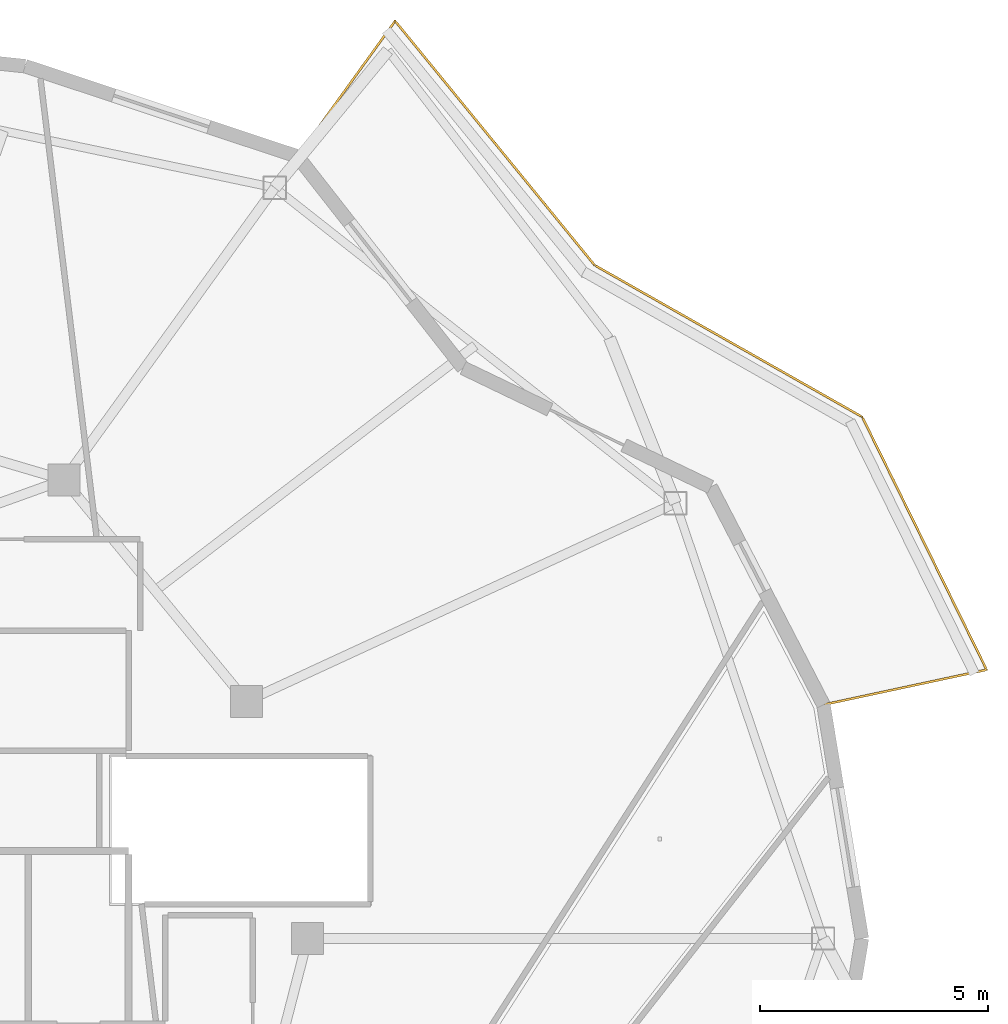
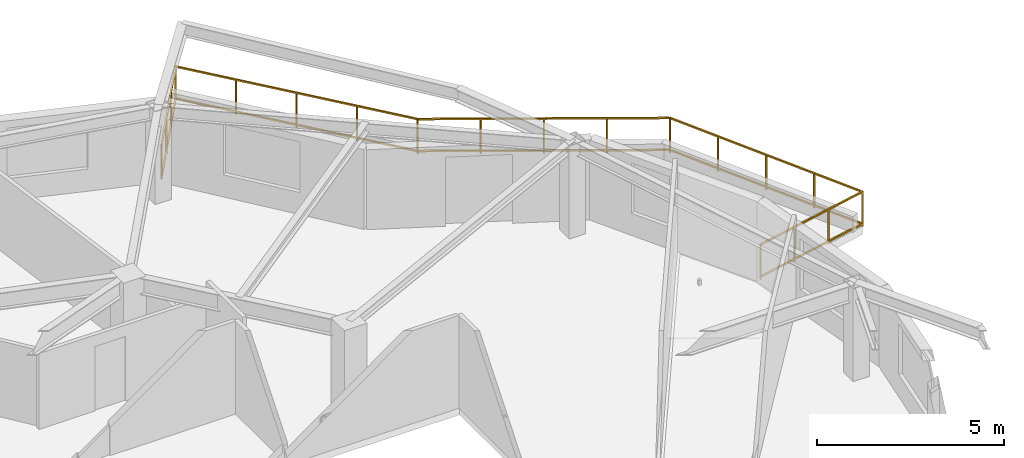
# One storey, part 14 of 14: 1 railing.
"""IFC4 building model written with IfcOpenShell, lengths in metres."""

from ifc_helpers import new_model, si_unit, direction, frame, origin, origin_2d, place, context, subcontext, project, spatial, rectangle, extrude, material, type_object, element, save


model = new_model("IFC4")

# Units and contexts
model_context = context("Model", 3, precision=1e-05, world=origin(), true_north=direction((0.0, 1.0)))
body_context = subcontext(model_context, "Body", "Model", "MODEL_VIEW")
ifc_project = project(units=[si_unit("LENGTHUNIT", "METRE"), si_unit("AREAUNIT", "SQUARE_METRE"), si_unit("VOLUMEUNIT", "CUBIC_METRE"), si_unit("PLANEANGLEUNIT", "RADIAN"), si_unit("MASSUNIT", "GRAM", prefix="KILO")], contexts=[model_context])

# Site, building, storey
site_placement = place(None, origin())
site = spatial("IfcSite", under=ifc_project, at=site_placement, CompositionType="ELEMENT")
building_placement = place(site_placement, origin())
building = spatial("IfcBuilding", under=site, at=building_placement, Name="Kolvaren Gate Tower and Convention Centre", CompositionType="ELEMENT")
storey_placement = place(building_placement, frame((0.0, 0.0, 209.60009765625)))
storey = spatial("IfcBuildingStorey", under=building, at=storey_placement, Name="L55", CompositionType="ELEMENT", Elevation=209.60009765625)

# Railing
ifc_material = material(Name="Brushed Stainless Steel Grade 316L", Category="steel")
railing_type = type_object("IfcRailingType", Name="ARCH-RL-GUARD-1150", PredefinedType="GUARDRAIL", material=ifc_material)
railing_placement = place(storey_placement, frame((54.03173828125, 32.12451171875, 0.0)))
element("IfcRailing", 1, at=railing_placement, inside=storey, type_object=railing_type, Name="Tower L55 Terrace Perimeter Guardrail GR-1", PredefinedType="GUARDRAIL", context=body_context, shape_type="SweptSolid", body=[
    extrude(rectangle(XDim=0.048095703125, YDim=0.048095703125, at=origin_2d()), frame((0.02734375, 0.005859375, 1.1259765625), z_axis=(0.977788745232, 0.209592866525, 0.0), x_axis=(-0.209592866525, 0.977788745232, 0.0)), (0.0, 0.0, 1.0), 3.603759765625),
    extrude(rectangle(XDim=0.048095703125, YDim=0.048095703125, at=origin_2d()), frame((0.02734375, 0.005859375, 0.083984375), z_axis=(0.977788745232, 0.209592866525, 0.0), x_axis=(-0.209592866525, 0.977788745232, 0.0)), (0.0, 0.0, 1.0), 3.603759765625),
    extrude(rectangle(XDim=0.048095703125, YDim=0.048095703125, at=origin_2d()), frame((3.566162109375, 0.792236328125, 1.1259765625), z_axis=(-0.441625304244, 0.897199582396, 0.0), x_axis=(-0.897199582396, -0.441625304244, 0.0)), (0.0, 0.0, 1.0), 6.122314453125),
    extrude(rectangle(XDim=0.048095703125, YDim=0.048095703125, at=origin_2d()), frame((3.566162109375, 0.792236328125, 0.083984375), z_axis=(-0.441625304244, 0.897199582396, 0.0), x_axis=(-0.897199582396, -0.441625304244, 0.0)), (0.0, 0.0, 1.0), 6.122314453125),
    extrude(rectangle(XDim=0.048095703125, YDim=0.048095703125, at=origin_2d()), frame((0.82568359375, 6.32421875, 1.1259765625), z_axis=(-0.869876155964, 0.493270182846, 0.0), x_axis=(-0.493270182846, -0.869876155964, 0.0)), (0.0, 0.0, 1.0), 6.6865234375),
    extrude(rectangle(XDim=0.048095703125, YDim=0.048095703125, at=origin_2d()), frame((0.82568359375, 6.32421875, 0.083984375), z_axis=(-0.869876155964, 0.493270182846, 0.0), x_axis=(-0.493270182846, -0.869876155964, 0.0)), (0.0, 0.0, 1.0), 6.6865234375),
    extrude(rectangle(XDim=0.048095703125, YDim=0.048095703125, at=origin_2d()), frame((-5.032958984375, 9.657958984375, 1.1259765625), z_axis=(-0.632718487063, 0.77438189295, 0.0), x_axis=(-0.77438189295, -0.632718487063, 0.0)), (0.0, 0.0, 1.0), 6.858154296875),
    extrude(rectangle(XDim=0.048095703125, YDim=0.048095703125, at=origin_2d()), frame((-5.032958984375, 9.657958984375, 0.083984375), z_axis=(-0.632718487063, 0.77438189295, 0.0), x_axis=(-0.77438189295, -0.632718487063, 0.0)), (0.0, 0.0, 1.0), 6.858154296875),
    extrude(rectangle(XDim=0.048095703125, YDim=0.048095703125, at=origin_2d()), frame((-9.40625, 14.9677734375, 1.1259765625), z_axis=(-0.585212870465, -0.810879705161, 0.0), x_axis=(0.810879705161, -0.585212870465, 0.0)), (0.0, 0.0, 1.0), 3.603759765625),
    extrude(rectangle(XDim=0.048095703125, YDim=0.048095703125, at=origin_2d()), frame((-9.40625, 14.9677734375, 0.083984375), z_axis=(-0.585212870465, -0.810879705161, 0.0), x_axis=(0.810879705161, -0.585212870465, 0.0)), (0.0, 0.0, 1.0), 3.603759765625),
    extrude(rectangle(XDim=0.0419921875, YDim=0.0419921875, at=origin_2d()), origin(), (0.0, 0.0, 1.0), 1.14990234375),
    extrude(rectangle(XDim=0.0419921875, YDim=0.0419921875, at=origin_2d()), frame((3.57861328125, 0.76708984375, 0.0)), (0.0, 0.0, 1.0), 1.14990234375),
    extrude(rectangle(XDim=0.0419921875, YDim=0.0419921875, at=origin_2d()), frame((1.19287109375, 0.255615234375, 0.0)), (0.0, 0.0, 1.0), 1.099853515625),
    extrude(rectangle(XDim=0.0419921875, YDim=0.0419921875, at=origin_2d()), frame((2.3857421875, 0.511474609375, 0.0)), (0.0, 0.0, 1.0), 1.099853515625),
    extrude(rectangle(XDim=0.0419921875, YDim=0.0419921875, at=origin_2d()), frame((0.85009765625, 6.310302734375, 0.0)), (0.0, 0.0, 1.0), 1.14990234375),
    extrude(rectangle(XDim=0.0419921875, YDim=0.0419921875, at=origin_2d()), frame((2.896484375, 2.15283203125, 0.0)), (0.0, 0.0, 1.0), 1.099853515625),
    extrude(rectangle(XDim=0.0419921875, YDim=0.0419921875, at=origin_2d()), frame((2.21435546875, 3.53857421875, 0.0)), (0.0, 0.0, 1.0), 1.099853515625),
    extrude(rectangle(XDim=0.0419921875, YDim=0.0419921875, at=origin_2d()), frame((1.5322265625, 4.924560546875, 0.0)), (0.0, 0.0, 1.0), 1.099853515625),
    extrude(rectangle(XDim=0.0419921875, YDim=0.0419921875, at=origin_2d()), frame((-5.01513671875, 9.63623046875, 0.0)), (0.0, 0.0, 1.0), 1.14990234375),
    extrude(rectangle(XDim=0.0419921875, YDim=0.0419921875, at=origin_2d()), frame((-0.6162109375, 7.141845703125, 0.0)), (0.0, 0.0, 1.0), 1.099853515625),
    extrude(rectangle(XDim=0.0419921875, YDim=0.0419921875, at=origin_2d()), frame((-2.08251953125, 7.97314453125, 0.0)), (0.0, 0.0, 1.0), 1.099853515625),
    extrude(rectangle(XDim=0.0419921875, YDim=0.0419921875, at=origin_2d()), frame((-3.548828125, 8.8046875, 0.0)), (0.0, 0.0, 1.0), 1.099853515625),
    extrude(rectangle(XDim=0.0419921875, YDim=0.0419921875, at=origin_2d()), frame((-9.389892578125, 14.990478515625, 0.0)), (0.0, 0.0, 1.0), 1.14990234375),
    extrude(rectangle(XDim=0.0419921875, YDim=0.0419921875, at=origin_2d()), frame((-6.10888671875, 10.974853515625, 0.0)), (0.0, 0.0, 1.0), 1.099853515625),
    extrude(rectangle(XDim=0.0419921875, YDim=0.0419921875, at=origin_2d()), frame((-7.20263671875, 12.3134765625, 0.0)), (0.0, 0.0, 1.0), 1.099853515625),
    extrude(rectangle(XDim=0.0419921875, YDim=0.0419921875, at=origin_2d()), frame((-8.296142578125, 13.65185546875, 0.0)), (0.0, 0.0, 1.0), 1.099853515625),
    extrude(rectangle(XDim=0.0419921875, YDim=0.0419921875, at=origin_2d()), frame((-11.53173828125, 12.022705078125, 0.0)), (0.0, 0.0, 1.0), 1.14990234375),
    extrude(rectangle(XDim=0.0419921875, YDim=0.0419921875, at=origin_2d()), frame((-10.103759765625, 14.001220703125, 0.0)), (0.0, 0.0, 1.0), 1.099853515625),
    extrude(rectangle(XDim=0.0419921875, YDim=0.0419921875, at=origin_2d()), frame((-10.81787109375, 13.011962890625, 0.0)), (0.0, 0.0, 1.0), 1.099853515625),
])

save(model, "model.ifc")
